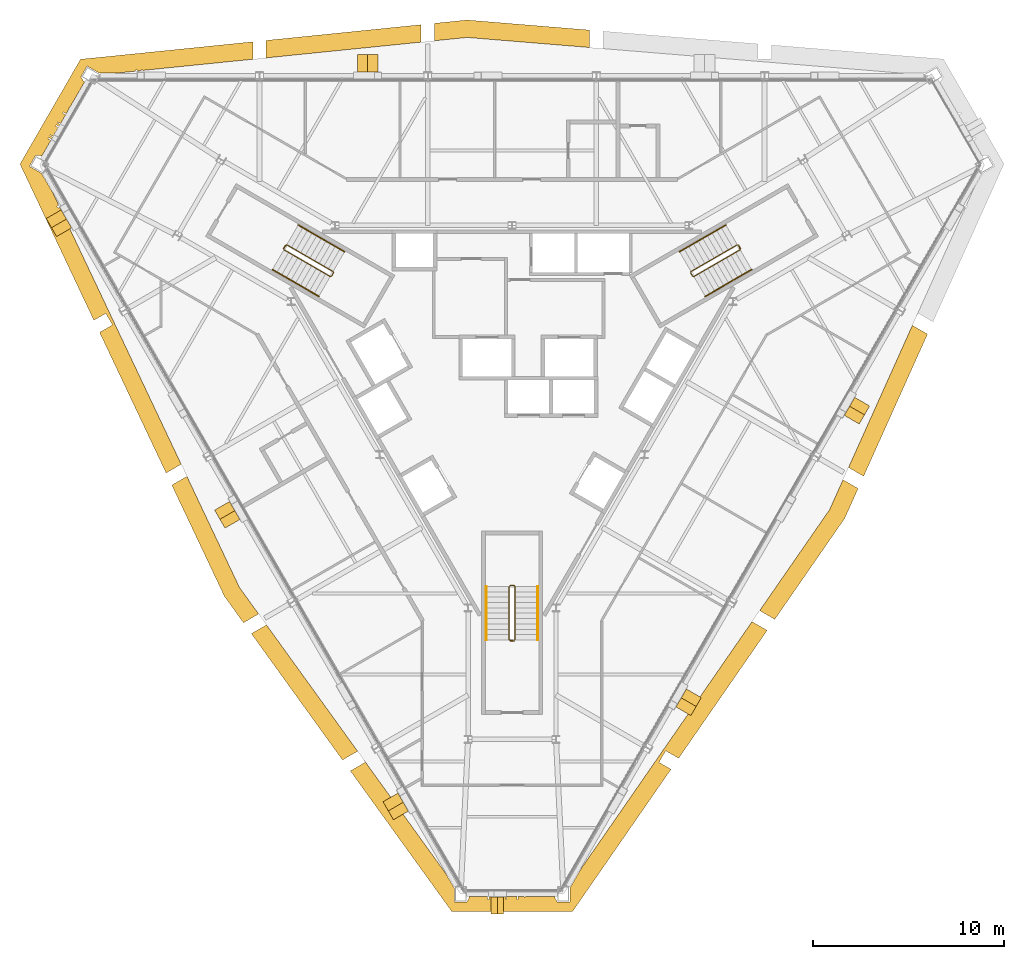
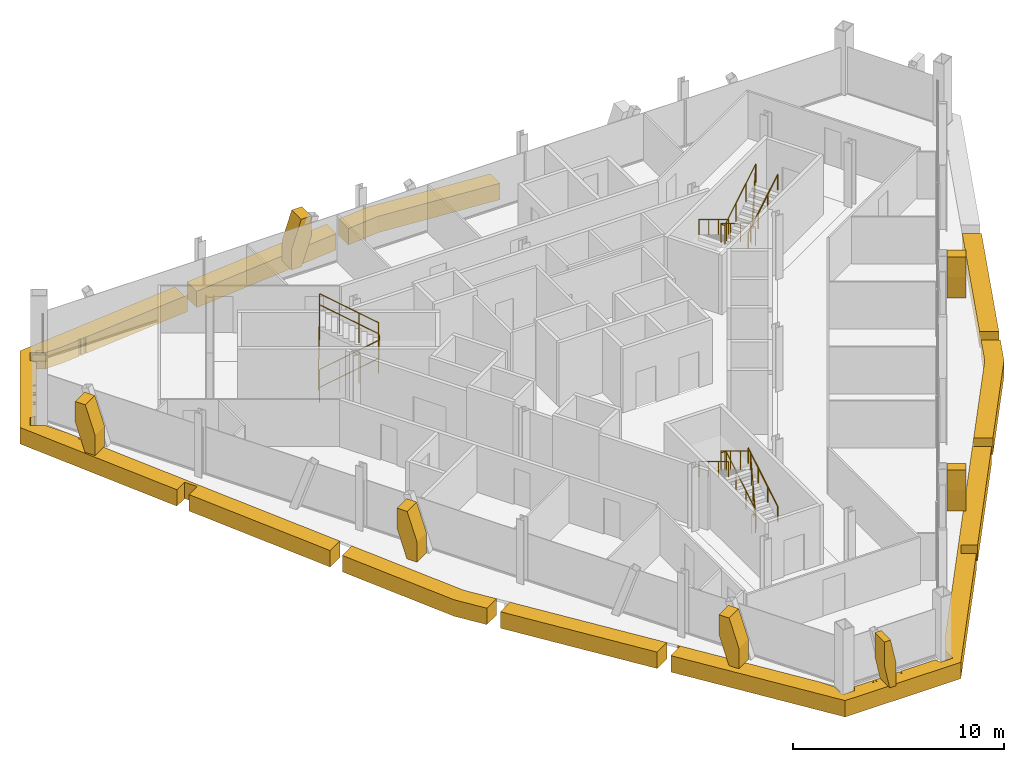
# One storey, part 13 of 14: 15 coverings, 9 railings.
"""IFC4 building model written with IfcOpenShell, lengths in metres."""

from ifc_helpers import new_model, si_unit, direction, frame, origin, origin_2d, place, context, subcontext, project, spatial, polyline, circle, outline, extrude, material, layer, layer_set, type_object, element, save


model = new_model("IFC4")

# Units and contexts
model_context = context("Model", 3, precision=1e-05, world=origin(), true_north=direction((0.0, 1.0)))
body_context = subcontext(model_context, "Body", "Model", "MODEL_VIEW")
ifc_project = project(units=[si_unit("LENGTHUNIT", "METRE"), si_unit("AREAUNIT", "SQUARE_METRE"), si_unit("VOLUMEUNIT", "CUBIC_METRE"), si_unit("PLANEANGLEUNIT", "RADIAN"), si_unit("MASSUNIT", "GRAM", prefix="KILO")], contexts=[model_context])

# Site, building, storey
site_placement = place(None, origin())
site = spatial("IfcSite", under=ifc_project, at=site_placement, CompositionType="ELEMENT")
building_placement = place(site_placement, origin())
building = spatial("IfcBuilding", under=site, at=building_placement, Name="Verrane Prism Tower", CompositionType="ELEMENT")
storey_placement = place(building_placement, frame((0.0, 0.0, 221.199951171875)))
storey = spatial("IfcBuildingStorey", under=building, at=storey_placement, Name="L55", CompositionType="ELEMENT", Elevation=221.199951171875)

# Railings
ifc_material_1 = material(Name="Steel A36 rail and posts, no infill", Category="steel")
railing_type_1 = type_object("IfcRailingType", Name="Stair guard 1100 steel rail and posts", PredefinedType="GUARDRAIL", material=ifc_material_1)
railing_1_placement = place(storey_placement, frame((11.78955078125, 6.97998046875, 0.168212890625)))
element("IfcRailing", 1, at=railing_1_placement, inside=storey, type_object=railing_type_1, Name="Stair 1 guard", PredefinedType="GUARDRAIL", context=body_context, shape_type="SweptSolid", body=[
    extrude(circle(Radius=0.02392578125, at=origin_2d()), frame((0.0, 0.0, 1.076171875), z_axis=(-0.742366697286, -0.42866220388, 0.514917859203), x_axis=(0.500049511043, -0.865996816683, 0.0)), (0.0, 0.0, 1.0), 3.266357421875),
    extrude(circle(Radius=0.02392578125, at=origin_2d()), frame((-2.4248046875, -1.400146484375, 2.7578125), z_axis=(-0.259601060869, -0.965715946433, 0.0), x_axis=(0.965715946433, -0.259601060869, 0.0)), (0.0, 0.0, 1.0), 0.070556640625),
    extrude(circle(Radius=0.02392578125, at=origin_2d()), frame((-2.443115234375, -1.46826171875, 2.7578125), z_axis=(0.499158860599, -0.866510491504, 0.0), x_axis=(0.866510491504, 0.499158860599, 0.0)), (0.0, 0.0, 1.0), 0.199951171875),
    extrude(circle(Radius=0.02392578125, at=origin_2d()), frame((-2.34326171875, -1.6416015625, 2.7578125), z_axis=(0.374585375571, -0.100335368456, 0.921747584887), x_axis=(0.258736085224, 0.965948051503, 0.0)), (0.0, 0.0, 1.0), 0.182373046875),
    extrude(circle(Radius=0.02392578125, at=origin_2d()), frame((-2.27490234375, -1.659912109375, 2.92626953125), z_axis=(0.742395268701, 0.428678701772, 0.514862928999), x_axis=(-0.500049511043, 0.865996816683, 0.0)), (0.0, 0.0, 1.0), 3.26611328125),
    extrude(circle(Radius=0.02392578125, at=origin_2d()), frame((0.14990234375, -0.259765625, 4.60791015625), z_axis=(-0.021986835041, 0.065104730107, -0.997636182785), x_axis=(-0.947430582667, -0.3199613899, 0.0)), (0.0, 0.0, 1.0), 3.708740234375),
    extrude(circle(Radius=0.02392578125, at=origin_2d()), frame((0.068359375, -0.018310546875, 0.90771484375), z_axis=(0.499158860599, -0.866510491504, 0.0), x_axis=(0.866510491504, 0.499158860599, 0.0)), (0.0, 0.0, 1.0), 0.199951171875),
    extrude(circle(Radius=0.02099609375, at=origin_2d()), origin(), (0.0, 0.0, 1.0), 1.052001953125),
    extrude(circle(Radius=0.02099609375, at=origin_2d()), frame((-0.808349609375, -0.466796875, 0.560546875)), (0.0, 0.0, 1.0), 1.052001953125),
    extrude(circle(Radius=0.02099609375, at=origin_2d()), frame((-1.616455078125, -0.933349609375, 1.121337890625)), (0.0, 0.0, 1.0), 1.052001953125),
    extrude(circle(Radius=0.02099609375, at=origin_2d()), frame((-2.4248046875, -1.400146484375, 1.681884765625)), (0.0, 0.0, 1.0), 1.052001953125),
    extrude(circle(Radius=0.02099609375, at=origin_2d()), frame((-2.443115234375, -1.46826171875, 1.681884765625)), (0.0, 0.0, 1.0), 1.052001953125),
    extrude(circle(Radius=0.02099609375, at=origin_2d()), frame((-2.34326171875, -1.6416015625, 1.681884765625)), (0.0, 0.0, 1.0), 1.052001953125),
    extrude(circle(Radius=0.02099609375, at=origin_2d()), frame((-2.27490234375, -1.659912109375, 1.85009765625)), (0.0, 0.0, 1.0), 1.052001953125),
    extrude(circle(Radius=0.02099609375, at=origin_2d()), frame((-1.466552734375, -1.193115234375, 2.41064453125)), (0.0, 0.0, 1.0), 1.052001953125),
    extrude(circle(Radius=0.02099609375, at=origin_2d()), frame((-0.658447265625, -0.7265625, 2.97119140625)), (0.0, 0.0, 1.0), 1.052001953125),
    extrude(circle(Radius=0.02099609375, at=origin_2d()), frame((0.14990234375, -0.259765625, 3.53173828125)), (0.0, 0.0, 1.0), 1.052001953125),
    extrude(circle(Radius=0.02099609375, at=origin_2d()), frame((0.12939453125, -0.199462890625, 2.606689453125)), (0.0, 0.0, 1.0), 1.052001953125),
    extrude(circle(Radius=0.02099609375, at=origin_2d()), frame((0.109130859375, -0.13916015625, 1.681640625)), (0.0, 0.0, 1.0), 1.052001953125),
    extrude(circle(Radius=0.02099609375, at=origin_2d()), frame((0.0888671875, -0.07861328125, 0.7568359375)), (0.0, 0.0, 1.0), 1.052001953125),
    extrude(circle(Radius=0.02099609375, at=origin_2d()), frame((0.068359375, -0.018310546875, -0.168212890625)), (0.0, 0.0, 1.0), 1.052001953125),
    extrude(circle(Radius=0.02099609375, at=origin_2d()), frame((0.168212890625, -0.191650390625, -0.168212890625)), (0.0, 0.0, 1.0), 1.052001953125),
])
railing_2_placement = place(storey_placement, frame((-11.939453125, 6.72021484375, 0.168212890625)))
element("IfcRailing", 2, at=railing_2_placement, inside=storey, type_object=railing_type_1, Name="Stair 2 guard", PredefinedType="GUARDRAIL", context=body_context, shape_type="SweptSolid", body=[
    extrude(circle(Radius=0.02392578125, at=origin_2d()), frame((0.0, 0.0, 1.076171875), z_axis=(0.742366697286, -0.42866220388, 0.514917859203), x_axis=(0.500049511043, 0.865996816683, 0.0)), (0.0, 0.0, 1.0), 3.266357421875),
    extrude(circle(Radius=0.02392578125, at=origin_2d()), frame((2.4248046875, -1.400146484375, 2.7578125), z_axis=(0.965948051503, 0.258736085224, 0.0), x_axis=(-0.258736085224, 0.965948051503, 0.0)), (0.0, 0.0, 1.0), 0.07080078125),
    extrude(circle(Radius=0.02392578125, at=origin_2d()), frame((2.4931640625, -1.3818359375, 2.7578125), z_axis=(0.499158860599, 0.866510491504, 0.0), x_axis=(-0.866510491504, 0.499158860599, 0.0)), (0.0, 0.0, 1.0), 0.199951171875),
    extrude(circle(Radius=0.02392578125, at=origin_2d()), frame((2.593017578125, -1.20849609375, 2.7578125), z_axis=(-0.100385596638, 0.373434419493, 0.922209014446), x_axis=(-0.965715946433, -0.259601060869, 0.0)), (0.0, 0.0, 1.0), 0.182373046875),
    extrude(circle(Radius=0.02392578125, at=origin_2d()), frame((2.57470703125, -1.140380859375, 2.92626953125), z_axis=(-0.742395268701, 0.428678701772, 0.514862928999), x_axis=(-0.500049511043, -0.865996816683, 0.0)), (0.0, 0.0, 1.0), 3.26611328125),
    extrude(circle(Radius=0.02392578125, at=origin_2d()), frame((0.14990234375, 0.259765625, 4.60791015625), z_axis=(-0.04535595117, -0.051675503147, -0.99763343973), x_axis=(0.751567565678, -0.659656118156, 0.0)), (0.0, 0.0, 1.0), 3.708740234375),
    extrude(circle(Radius=0.02392578125, at=origin_2d()), frame((-0.018310546875, 0.068115234375, 0.90771484375), z_axis=(0.499158860599, 0.866510491504, 0.0), x_axis=(-0.866510491504, 0.499158860599, 0.0)), (0.0, 0.0, 1.0), 0.199951171875),
    extrude(circle(Radius=0.02099609375, at=origin_2d()), origin(), (0.0, 0.0, 1.0), 1.052001953125),
    extrude(circle(Radius=0.02099609375, at=origin_2d()), frame((0.808349609375, -0.466796875, 0.560546875)), (0.0, 0.0, 1.0), 1.052001953125),
    extrude(circle(Radius=0.02099609375, at=origin_2d()), frame((1.616455078125, -0.933349609375, 1.121337890625)), (0.0, 0.0, 1.0), 1.052001953125),
    extrude(circle(Radius=0.02099609375, at=origin_2d()), frame((2.4248046875, -1.400146484375, 1.681884765625)), (0.0, 0.0, 1.0), 1.052001953125),
    extrude(circle(Radius=0.02099609375, at=origin_2d()), frame((2.4931640625, -1.3818359375, 1.681884765625)), (0.0, 0.0, 1.0), 1.052001953125),
    extrude(circle(Radius=0.02099609375, at=origin_2d()), frame((2.593017578125, -1.20849609375, 1.681884765625)), (0.0, 0.0, 1.0), 1.052001953125),
    extrude(circle(Radius=0.02099609375, at=origin_2d()), frame((2.57470703125, -1.140380859375, 1.85009765625)), (0.0, 0.0, 1.0), 1.052001953125),
    extrude(circle(Radius=0.02099609375, at=origin_2d()), frame((1.766357421875, -0.673583984375, 2.41064453125)), (0.0, 0.0, 1.0), 1.052001953125),
    extrude(circle(Radius=0.02099609375, at=origin_2d()), frame((0.958251953125, -0.20703125, 2.97119140625)), (0.0, 0.0, 1.0), 1.052001953125),
    extrude(circle(Radius=0.02099609375, at=origin_2d()), frame((0.14990234375, 0.259765625, 3.53173828125)), (0.0, 0.0, 1.0), 1.052001953125),
    extrude(circle(Radius=0.02099609375, at=origin_2d()), frame((0.10791015625, 0.2119140625, 2.606689453125)), (0.0, 0.0, 1.0), 1.052001953125),
    extrude(circle(Radius=0.02099609375, at=origin_2d()), frame((0.06591796875, 0.1640625, 1.681640625)), (0.0, 0.0, 1.0), 1.052001953125),
    extrude(circle(Radius=0.02099609375, at=origin_2d()), frame((0.023681640625, 0.115966796875, 0.7568359375)), (0.0, 0.0, 1.0), 1.052001953125),
    extrude(circle(Radius=0.02099609375, at=origin_2d()), frame((-0.018310546875, 0.068115234375, -0.168212890625)), (0.0, 0.0, 1.0), 1.052001953125),
    extrude(circle(Radius=0.02099609375, at=origin_2d()), frame((0.08154296875, 0.241455078125, -0.168212890625)), (0.0, 0.0, 1.0), 1.052001953125),
])
railing_3_placement = place(storey_placement, frame((0.14990234375, -13.699951171875, 0.168212890625)))
element("IfcRailing", 3, at=railing_3_placement, inside=storey, type_object=railing_type_1, Name="Stair 3 guard", PredefinedType="GUARDRAIL", context=body_context, shape_type="SweptSolid", body=[
    extrude(circle(Radius=0.02392578125, at=origin_2d()), frame((0.0, 0.0, 1.076171875), z_axis=(0.0, 0.857242210791, 0.514913383045), x_axis=(-1.0, 0.0, 0.0)), (0.0, 0.0, 1.0), 3.266357421875),
    extrude(circle(Radius=0.02392578125, at=origin_2d()), frame((0.0, 2.800048828125, 2.7578125), z_axis=(-0.707106781187, 0.707106781187, 0.0), x_axis=(-0.707106781187, -0.707106781187, 0.0)), (0.0, 0.0, 1.0), 0.0703125),
    extrude(circle(Radius=0.02392578125, at=origin_2d()), frame((-0.0498046875, 2.849853515625, 2.7578125), z_axis=(-1.0, 0.0, 0.0), x_axis=(0.0, -1.0, 0.0)), (0.0, 0.0, 1.0), 0.2001953125),
    extrude(circle(Radius=0.02392578125, at=origin_2d()), frame((-0.25, 2.849853515625, 2.7578125), z_axis=(-0.273106073848, -0.273106073848, 0.922402376869), x_axis=(0.707106781187, -0.707106781187, 0.0)), (0.0, 0.0, 1.0), 0.182373046875),
    extrude(circle(Radius=0.02392578125, at=origin_2d()), frame((-0.2998046875, 2.800048828125, 2.92626953125), z_axis=(0.0, -0.857275202839, 0.514858452973), x_axis=(1.0, 0.0, 0.0)), (0.0, 0.0, 1.0), 3.26611328125),
    extrude(circle(Radius=0.02392578125, at=origin_2d()), frame((-0.2998046875, 0.0, 4.60791015625), z_axis=(0.067408604812, -0.013494886706, -0.997634185476), x_axis=(0.196300278283, 0.98054382908, 0.0)), (0.0, 0.0, 1.0), 3.708740234375),
    extrude(circle(Radius=0.02392578125, at=origin_2d()), frame((-0.0498046875, -0.050048828125, 0.90771484375), z_axis=(-1.0, 0.0, 0.0), x_axis=(0.0, -1.0, 0.0)), (0.0, 0.0, 1.0), 0.2001953125),
    extrude(circle(Radius=0.02099609375, at=origin_2d()), origin(), (0.0, 0.0, 1.0), 1.052001953125),
    extrude(circle(Radius=0.02099609375, at=origin_2d()), frame((0.0, 0.933349609375, 0.560546875)), (0.0, 0.0, 1.0), 1.052001953125),
    extrude(circle(Radius=0.02099609375, at=origin_2d()), frame((0.0, 1.86669921875, 1.121337890625)), (0.0, 0.0, 1.0), 1.052001953125),
    extrude(circle(Radius=0.02099609375, at=origin_2d()), frame((0.0, 2.800048828125, 1.681884765625)), (0.0, 0.0, 1.0), 1.052001953125),
    extrude(circle(Radius=0.02099609375, at=origin_2d()), frame((-0.0498046875, 2.849853515625, 1.681884765625)), (0.0, 0.0, 1.0), 1.052001953125),
    extrude(circle(Radius=0.02099609375, at=origin_2d()), frame((-0.25, 2.849853515625, 1.681884765625)), (0.0, 0.0, 1.0), 1.052001953125),
    extrude(circle(Radius=0.02099609375, at=origin_2d()), frame((-0.2998046875, 2.800048828125, 1.85009765625)), (0.0, 0.0, 1.0), 1.052001953125),
    extrude(circle(Radius=0.02099609375, at=origin_2d()), frame((-0.2998046875, 1.86669921875, 2.41064453125)), (0.0, 0.0, 1.0), 1.052001953125),
    extrude(circle(Radius=0.02099609375, at=origin_2d()), frame((-0.2998046875, 0.933349609375, 2.97119140625)), (0.0, 0.0, 1.0), 1.052001953125),
    extrude(circle(Radius=0.02099609375, at=origin_2d()), frame((-0.2998046875, 0.0, 3.53173828125)), (0.0, 0.0, 1.0), 1.052001953125),
    extrude(circle(Radius=0.02099609375, at=origin_2d()), frame((-0.2373046875, -0.012451171875, 2.606689453125)), (0.0, 0.0, 1.0), 1.052001953125),
    extrude(circle(Radius=0.02099609375, at=origin_2d()), frame((-0.1748046875, -0.02490234375, 1.681640625)), (0.0, 0.0, 1.0), 1.052001953125),
    extrude(circle(Radius=0.02099609375, at=origin_2d()), frame((-0.1123046875, -0.03759765625, 0.7568359375)), (0.0, 0.0, 1.0), 1.052001953125),
    extrude(circle(Radius=0.02099609375, at=origin_2d()), frame((-0.0498046875, -0.050048828125, -0.168212890625)), (0.0, 0.0, 1.0), 1.052001953125),
    extrude(circle(Radius=0.02099609375, at=origin_2d()), frame((-0.25, -0.050048828125, -0.168212890625)), (0.0, 0.0, 1.0), 1.052001953125),
])
ifc_material_2 = material(Name="Steel A36 tube", Category="steel")
railing_type_2 = type_object("IfcRailingType", Name="Stair handrail 900 steel tube", PredefinedType="HANDRAIL", material=ifc_material_2)
railing_4_placement = place(storey_placement, frame((11.189453125, 8.01904296875, 0.168212890625)))
element("IfcRailing", 4, at=railing_4_placement, inside=storey, type_object=railing_type_2, Name="Stair 1 handrail", PredefinedType="HANDRAIL", context=body_context, shape_type="SweptSolid", body=[
    extrude(circle(Radius=0.02392578125, at=origin_2d()), frame((0.0, 0.0, 0.8759765625), z_axis=(-0.742390482028, -0.42860119049, 0.514934356695), x_axis=(0.49998411664, -0.866034573852, 0.0)), (0.0, 0.0, 1.0), 3.26611328125),
    extrude(circle(Radius=0.02099609375, at=origin_2d()), origin(), (0.0, 0.0, 1.0), 0.851806640625),
    extrude(circle(Radius=0.02099609375, at=origin_2d()), frame((-0.808349609375, -0.466552734375, 0.560546875)), (0.0, 0.0, 1.0), 0.851806640625),
    extrude(circle(Radius=0.02099609375, at=origin_2d()), frame((-1.616455078125, -0.933349609375, 1.121337890625)), (0.0, 0.0, 1.0), 0.851806640625),
    extrude(circle(Radius=0.02099609375, at=origin_2d()), frame((-2.4248046875, -1.39990234375, 1.681884765625)), (0.0, 0.0, 1.0), 0.851806640625),
])
railing_5_placement = place(storey_placement, frame((10.11474609375, 4.28076171875, 2.018310546875)))
element("IfcRailing", 5, at=railing_5_placement, inside=storey, type_object=railing_type_2, Name="Stair 1 handrail", PredefinedType="HANDRAIL", context=body_context, shape_type="SweptSolid", body=[
    extrude(circle(Radius=0.02392578125, at=origin_2d()), frame((0.0, 0.0, 0.8759765625), z_axis=(0.742395268701, 0.428678701772, 0.514862928999), x_axis=(-0.500049511043, 0.865996816683, 0.0)), (0.0, 0.0, 1.0), 3.26611328125),
    extrude(circle(Radius=0.02099609375, at=origin_2d()), origin(), (0.0, 0.0, 1.0), 0.851806640625),
    extrude(circle(Radius=0.02099609375, at=origin_2d()), frame((0.808349609375, 0.466796875, 0.560546875)), (0.0, 0.0, 1.0), 0.851806640625),
    extrude(circle(Radius=0.02099609375, at=origin_2d()), frame((1.616455078125, 0.933349609375, 1.12109375)), (0.0, 0.0, 1.0), 0.851806640625),
    extrude(circle(Radius=0.02099609375, at=origin_2d()), frame((2.4248046875, 1.400146484375, 1.681640625)), (0.0, 0.0, 1.0), 0.851806640625),
])
railing_6_placement = place(storey_placement, frame((-12.53955078125, 5.680908203125, 0.168212890625)))
element("IfcRailing", 6, at=railing_6_placement, inside=storey, type_object=railing_type_2, Name="Stair 2 handrail", PredefinedType="HANDRAIL", context=body_context, shape_type="SweptSolid", body=[
    extrude(circle(Radius=0.02392578125, at=origin_2d()), frame((0.0, 0.0, 0.8759765625), z_axis=(0.742366697286, -0.42866220388, 0.514917859203), x_axis=(0.500049511043, 0.865996816683, 0.0)), (0.0, 0.0, 1.0), 3.266357421875),
    extrude(circle(Radius=0.02099609375, at=origin_2d()), origin(), (0.0, 0.0, 1.0), 0.851806640625),
    extrude(circle(Radius=0.02099609375, at=origin_2d()), frame((0.808349609375, -0.466796875, 0.560546875)), (0.0, 0.0, 1.0), 0.851806640625),
    extrude(circle(Radius=0.02099609375, at=origin_2d()), frame((1.616455078125, -0.933349609375, 1.121337890625)), (0.0, 0.0, 1.0), 0.851806640625),
    extrude(circle(Radius=0.02099609375, at=origin_2d()), frame((2.4248046875, -1.400146484375, 1.681884765625)), (0.0, 0.0, 1.0), 0.851806640625),
])
railing_7_placement = place(storey_placement, frame((-8.7646484375, 6.619140625, 2.018310546875)))
element("IfcRailing", 7, at=railing_7_placement, inside=storey, type_object=railing_type_2, Name="Stair 2 handrail", PredefinedType="HANDRAIL", context=body_context, shape_type="SweptSolid", body=[
    extrude(circle(Radius=0.02392578125, at=origin_2d()), frame((0.0, 0.0, 0.8759765625), z_axis=(-0.74241905619, 0.428617687091, 0.514879426), x_axis=(-0.49998411664, -0.866034573852, 0.0)), (0.0, 0.0, 1.0), 3.26611328125),
    extrude(circle(Radius=0.02099609375, at=origin_2d()), origin(), (0.0, 0.0, 1.0), 0.851806640625),
    extrude(circle(Radius=0.02099609375, at=origin_2d()), frame((-0.808349609375, 0.466552734375, 0.560546875)), (0.0, 0.0, 1.0), 0.851806640625),
    extrude(circle(Radius=0.02099609375, at=origin_2d()), frame((-1.616455078125, 0.933349609375, 1.12109375)), (0.0, 0.0, 1.0), 0.851806640625),
    extrude(circle(Radius=0.02099609375, at=origin_2d()), frame((-2.4248046875, 1.39990234375, 1.681640625)), (0.0, 0.0, 1.0), 0.851806640625),
])
railing_8_placement = place(storey_placement, frame((1.35009765625, -13.699951171875, 0.168212890625)))
element("IfcRailing", 8, at=railing_8_placement, inside=storey, type_object=railing_type_2, Name="Stair 3 handrail", PredefinedType="HANDRAIL", context=body_context, shape_type="SweptSolid", body=[
    extrude(circle(Radius=0.02392578125, at=origin_2d()), frame((0.0, 0.0, 0.8759765625), z_axis=(0.0, 0.857242210791, 0.514913383045), x_axis=(-1.0, 0.0, 0.0)), (0.0, 0.0, 1.0), 3.266357421875),
    extrude(circle(Radius=0.02099609375, at=origin_2d()), origin(), (0.0, 0.0, 1.0), 0.851806640625),
    extrude(circle(Radius=0.02099609375, at=origin_2d()), frame((0.0, 0.933349609375, 0.560546875)), (0.0, 0.0, 1.0), 0.851806640625),
    extrude(circle(Radius=0.02099609375, at=origin_2d()), frame((0.0, 1.86669921875, 1.121337890625)), (0.0, 0.0, 1.0), 0.851806640625),
    extrude(circle(Radius=0.02099609375, at=origin_2d()), frame((0.0, 2.800048828125, 1.681884765625)), (0.0, 0.0, 1.0), 0.851806640625),
])
railing_9_placement = place(storey_placement, frame((-1.35009765625, -10.89990234375, 2.018310546875)))
element("IfcRailing", 9, at=railing_9_placement, inside=storey, type_object=railing_type_2, Name="Stair 3 handrail", PredefinedType="HANDRAIL", context=body_context, shape_type="SweptSolid", body=[
    extrude(circle(Radius=0.02392578125, at=origin_2d()), frame((0.0, 0.0, 0.8759765625), z_axis=(0.0, -0.857275202839, 0.514858452973), x_axis=(1.0, 0.0, 0.0)), (0.0, 0.0, 1.0), 3.26611328125),
    extrude(circle(Radius=0.02099609375, at=origin_2d()), origin(), (0.0, 0.0, 1.0), 0.851806640625),
    extrude(circle(Radius=0.02099609375, at=origin_2d()), frame((0.0, -0.933349609375, 0.560546875)), (0.0, 0.0, 1.0), 0.851806640625),
    extrude(circle(Radius=0.02099609375, at=origin_2d()), frame((0.0, -1.86669921875, 1.12109375)), (0.0, 0.0, 1.0), 0.851806640625),
    extrude(circle(Radius=0.02099609375, at=origin_2d()), frame((0.0, -2.800048828125, 1.681640625)), (0.0, 0.0, 1.0), 0.851806640625),
])

# Coverings
ifc_material_3 = material(Name="Warm limestone cladding", Category="masonry")
ifc_layer_1 = layer(ifc_material_3, 0.89990234375)
ifc_layer_set_1 = layer_set([ifc_layer_1], Name="Stone brace fin 900")
covering_type_1 = type_object("IfcCoveringType", Name="Stone brace fin 900", PredefinedType="CLADDING", material=ifc_layer_set_1)
covering_1_placement = place(storey_placement, frame((-8.10009765625, 16.483154296875, 0.0), z_axis=(0.0, 0.0, 1.0), x_axis=(1.0, 0.0, 0.0)))
element("IfcCovering", 10, at=covering_1_placement, inside=storey, type_object=covering_type_1, Name="Stone brace fin N4 L55", PredefinedType="CLADDING", context=body_context, shape_type="SweptSolid", body=[
    extrude(outline(polyline([(1.087158203125, 2.75), (0.53369140625, 2.75), (0.0, 1.1806640625), (0.0, 0.0), (0.549072265625, 0.0), (1.087158203125, 1.58203125), (1.087158203125, 2.75)])), frame((0.0, 0.449951171875, 0.0), z_axis=(0.0, -1.0, 0.0), x_axis=(1.0, 0.0, 0.0)), (0.0, 0.0, 1.0), 0.89990234375),
])
for number, where, z_axis, x_axis, name in (
    (11, (-23.443115234375, 7.637939453125, 0.0), (0.0, 0.0, 1.0), (-0.499521517039, 0.866301479864, 0.0), "Stone brace fin SW1 L55"),
    (12, (-14.633056640625, -7.6220703125, 0.0), (0.0, 0.0, 1.0), (-0.499521517039, 0.866301479864, 0.0), "Stone brace fin SW3 L55"),
):
    element("IfcCovering", number, at=place(storey_placement, frame(where, z_axis=z_axis, x_axis=x_axis)), inside=storey, type_object=covering_type_1, Name=name, PredefinedType="CLADDING", context=body_context, shape_type="SweptSolid", body=[
        extrude(outline(polyline([(1.0869140625, 2.75), (0.53369140625, 2.75), (0.0, 1.18115234375), (0.0, 0.0), (0.549072265625, 0.0), (1.0869140625, 1.581787109375), (1.0869140625, 2.75)])), frame((0.0, 0.449951171875, 0.0), z_axis=(0.0, -1.0, 0.0), x_axis=(1.0, 0.0, 0.0)), (0.0, 0.0, 1.0), 0.89990234375),
    ])
for number, where, z_axis, x_axis, name in (
    (13, (-5.818359375, -22.8828125, 0.0), (0.0, 0.0, 1.0), (-0.500363613817, 0.865815369445, 0.0), "Stone brace fin SW5 L55"),
    (14, (9.5126953125, -16.4912109375, 0.0), (0.0, 0.0, 1.0), (-0.500460878904, -0.865759151662, 0.0), "Stone brace fin SE2 L55"),
    (15, (18.322509765625, -1.231201171875, 0.0), (0.0, 0.0, 1.0), (-0.500460878904, -0.865759151662, 0.0), "Stone brace fin SE4 L55"),
):
    element("IfcCovering", number, at=place(storey_placement, frame(where, z_axis=z_axis, x_axis=x_axis)), inside=storey, type_object=covering_type_1, Name=name, PredefinedType="CLADDING", context=body_context, shape_type="SweptSolid", body=[
        extrude(outline(polyline([(1.08740234375, 2.75), (0.5341796875, 2.75), (0.0, 1.180419921875), (0.0, 0.0), (0.549072265625, 0.0), (1.08740234375, 1.58251953125), (1.08740234375, 2.75)])), frame((0.0, 0.449951171875, 0.0), z_axis=(0.0, -1.0, 0.0), x_axis=(1.0, 0.0, 0.0)), (0.0, 0.0, 1.0), 0.89990234375),
    ])
covering_2_placement = place(storey_placement, frame((-0.44580078125, -27.59228515625, 0.0), z_axis=(0.0, 0.0, 1.0), x_axis=(-1.0, 0.0, 0.0)))
element("IfcCovering", 16, at=covering_2_placement, inside=storey, type_object=covering_type_1, Name="Stone brace fin S1 L55", PredefinedType="CLADDING", context=body_context, shape_type="SweptSolid", body=[
    extrude(outline(polyline([(0.6455078125, 2.75), (0.31005859375, 2.75), (0.0, 1.257568359375), (0.0, 0.0), (0.362060546875, 0.0), (0.6455078125, 1.36572265625), (0.6455078125, 2.75)])), frame((0.0, 0.449951171875, 0.0), z_axis=(0.0, -1.0, 0.0), x_axis=(1.0, 0.0, 0.0)), (0.0, 0.0, 1.0), 0.89990234375),
])
ifc_material_4 = material(Name="Warm limestone cladding", Category="masonry")
ifc_layer_2 = layer(ifc_material_4, 0.449951171875)
ifc_layer_set_2 = layer_set([ifc_layer_2], Name="Stone spandrel band 450")
covering_type_2 = type_object("IfcCoveringType", Name="Stone spandrel band 450", PredefinedType="CLADDING", material=ifc_layer_set_2)
covering_3_placement = place(storey_placement, frame((0.0, 0.0, -0.949951171875)))
element("IfcCovering", 17, at=covering_3_placement, inside=storey, type_object=covering_type_2, Name="Stone spandrel band L55 part 1", PredefinedType="CLADDING", context=body_context, shape_type="SweptSolid", body=[
    extrude(outline(polyline([(-7.689453125, -20.10546875), (-8.46240234375, -20.551513671875), (-3.160400390625, -27.90185546875), (3.171630859375, -27.90185546875), (8.3173828125, -20.468017578125), (7.689453125, -20.10546875), (8.03955078125, -19.499267578125), (8.717041015625, -19.890380859375), (13.34912109375, -13.198486328125), (12.55859375, -12.741943359375), (3.623291015625, -25.651123046875), (3.02001953125, -26.69580078125), (3.02001953125, -27.419921875), (2.360107421875, -27.419921875), (2.360107421875, -27.39794921875), (2.251953125, -27.208740234375), (2.251953125, -27.12548828125), (0.7041015625, -27.12548828125), (0.67578125, -27.164794921875), (0.62109375, -27.12548828125), (0.32275390625, -27.12548828125), (0.32275390625, -27.2900390625), (0.251708984375, -27.2900390625), (0.251708984375, -27.12548828125), (-0.278076171875, -27.12548828125), (-0.278076171875, -27.2900390625), (-0.32275390625, -27.2900390625), (-0.32275390625, -27.12548828125), (-0.44580078125, -27.12548828125), (-0.44580078125, -27.2900390625), (-0.51708984375, -27.2900390625), (-0.51708984375, -27.12548828125), (-1.046630859375, -27.12548828125), (-1.046630859375, -27.2900390625), (-1.09130859375, -27.2900390625), (-1.09130859375, -27.12548828125), (-1.21435546875, -27.12548828125), (-1.21435546875, -27.2900390625), (-1.285400390625, -27.2900390625), (-1.285400390625, -27.12548828125), (-2.251953125, -27.12548828125), (-2.251953125, -27.208740234375), (-2.360107421875, -27.39794921875), (-2.360107421875, -27.419921875), (-3.02001953125, -27.419921875), (-3.02001953125, -26.69580078125), (-3.466552734375, -25.922607421875), (-7.7548828125, -19.977294921875), (-7.76123046875, -19.981201171875), (-7.689453125, -20.10546875)])), origin(), (0.0, 0.0, 1.0), 0.949951171875),
])
covering_4_placement = place(storey_placement, frame((0.0, 0.0, -0.949951171875)))
element("IfcCovering", 18, at=covering_4_placement, inside=storey, type_object=covering_type_2, Name="Stone spandrel band L55 part 3", PredefinedType="CLADDING", context=body_context, shape_type="SweptSolid", body=[
    extrude(outline(polyline([(-17.314208984375, -4.5048828125), (-23.15478515625, 7.845458984375), (-23.19091796875, 7.90771484375), (-23.185791015625, 7.91064453125), (-23.5576171875, 8.697021484375), (-23.6240234375, 8.658935546875), (-23.679931640625, 8.755859375), (-23.605712890625, 8.798583984375), (-23.67919921875, 8.9541015625), (-23.765625, 8.904296875), (-23.8193359375, 8.997802734375), (-23.725341796875, 9.0517578125), (-24.026123046875, 9.687744140625), (-24.624267578125, 10.7236328125), (-25.25732421875, 11.089111328125), (-24.927490234375, 11.660888671875), (-24.908447265625, 11.64990234375), (-24.689453125, 11.64990234375), (-24.619140625, 11.609130859375), (-24.135498046875, 12.447021484375), (-24.277587890625, 12.52880859375), (-24.2421875, 12.590576171875), (-24.099853515625, 12.5087890625), (-24.038330078125, 12.615478515625), (-24.1806640625, 12.697265625), (-24.158203125, 12.736083984375), (-24.015869140625, 12.654296875), (-23.75048828125, 13.11376953125), (-23.893310546875, 13.196044921875), (-23.85791015625, 13.2578125), (-23.71484375, 13.175537109375), (-23.6533203125, 13.2822265625), (-23.79638671875, 13.364501953125), (-23.77392578125, 13.4033203125), (-23.630859375, 13.321044921875), (-23.365478515625, 13.780517578125), (-23.509033203125, 13.86328125), (-23.4736328125, 13.9248046875), (-23.330078125, 13.84228515625), (-23.181396484375, 14.099609375), (-23.188232421875, 14.168701171875), (-23.138916015625, 14.17333984375), (-22.363525390625, 15.516357421875), (-22.4375, 15.55908203125), (-22.54833984375, 15.748291015625), (-22.5673828125, 15.75927734375), (-22.2373046875, 16.330810546875), (-21.60107421875, 15.96337890625), (-20.71630859375, 15.96337890625), (-19.706298828125, 16.06591796875), (-19.706298828125, 16.1298828125), (-19.598388671875, 16.1298828125), (-19.598388671875, 16.076904296875), (-19.42724609375, 16.094482421875), (-19.42724609375, 16.1298828125), (-19.315185546875, 16.1298828125), (-19.315185546875, 16.105712890625), (-13.402099609375, 16.706787109375), (-13.40234375, 16.714111328125), (-13.56689453125, 16.714111328125), (-13.56689453125, 17.6044921875), (-22.58349609375, 16.68798828125), (-25.749755859375, 11.2041015625), (-21.884521484375, 3.031005859375), (-21.26025390625, 3.39111328125), (-20.910400390625, 2.784912109375), (-21.584228515625, 2.39599609375), (-18.104736328125, -4.96142578125), (-17.314208984375, -4.5048828125)])), origin(), (0.0, 0.0, 1.0), 0.949951171875),
])
covering_5_placement = place(storey_placement, frame((0.0, 0.0, -0.949951171875)))
element("IfcCovering", 19, at=covering_5_placement, inside=storey, type_object=covering_type_2, Name="Stone spandrel band L55 part 4", PredefinedType="CLADDING", context=body_context, shape_type="SweptSolid", body=[
    extrude(outline(polyline([(-14.05517578125, -12.7978515625), (-13.26318359375, -12.340576171875), (-14.266357421875, -10.949951171875), (-17.013916015625, -5.139892578125), (-17.804443359375, -5.596435546875), (-15.052978515625, -11.414306640625), (-14.05517578125, -12.7978515625)])), origin(), (0.0, 0.0, 1.0), 0.949951171875),
])
covering_6_placement = place(storey_placement, frame((0.0, 0.0, -0.949951171875)))
element("IfcCovering", 20, at=covering_6_placement, inside=storey, type_object=covering_type_2, Name="Stone spandrel band L55 part 5", PredefinedType="CLADDING", context=body_context, shape_type="SweptSolid", body=[
    extrude(outline(polyline([(-8.08203125, -19.523681640625), (-12.851806640625, -12.9111328125), (-13.6435546875, -13.368408203125), (-8.8740234375, -19.98095703125), (-8.08203125, -19.523681640625)])), origin(), (0.0, 0.0, 1.0), 0.949951171875),
])
covering_7_placement = place(storey_placement, frame((0.0, 0.0, -0.949951171875)))
element("IfcCovering", 21, at=covering_7_placement, inside=storey, type_object=covering_type_2, Name="Stone spandrel band L55 part 6", PredefinedType="CLADDING", context=body_context, shape_type="SweptSolid", body=[
    extrude(outline(polyline([(18.11083984375, -5.773193359375), (17.31884765625, -5.31591796875), (16.6162109375, -6.880126953125), (12.958251953125, -12.16455078125), (13.748779296875, -12.62109375), (17.41162109375, -7.3291015625), (18.11083984375, -5.773193359375)])), origin(), (0.0, 0.0, 1.0), 0.949951171875),
])
covering_8_placement = place(storey_placement, frame((0.0, 0.0, -0.949951171875)))
element("IfcCovering", 22, at=covering_8_placement, inside=storey, type_object=covering_type_2, Name="Stone spandrel band L55 part 7", PredefinedType="CLADDING", context=body_context, shape_type="SweptSolid", body=[
    extrude(outline(polyline([(21.740966796875, 2.305419921875), (20.94921875, 2.7626953125), (17.607421875, -4.67431640625), (18.3994140625, -5.131591796875), (21.740966796875, 2.305419921875)])), origin(), (0.0, 0.0, 1.0), 0.949951171875),
])
covering_9_placement = place(storey_placement, frame((0.0, 0.0, -0.949951171875)))
element("IfcCovering", 23, at=covering_9_placement, inside=storey, type_object=covering_type_2, Name="Stone spandrel band L55 part 8", PredefinedType="CLADDING", context=body_context, shape_type="SweptSolid", body=[
    extrude(outline(polyline([(-4.0556640625, 18.571044921875), (-4.0556640625, 17.656494140625), (-2.349609375, 17.830078125), (4.0556640625, 17.304443359375), (4.0556640625, 18.21728515625), (-2.358642578125, 18.74365234375), (-4.0556640625, 18.571044921875)])), origin(), (0.0, 0.0, 1.0), 0.949951171875),
])
covering_10_placement = place(storey_placement, frame((0.0, 0.0, -0.949951171875)))
element("IfcCovering", 24, at=covering_10_placement, inside=storey, type_object=covering_type_2, Name="Stone spandrel band L55 part 9", PredefinedType="CLADDING", context=body_context, shape_type="SweptSolid", body=[
    extrude(outline(polyline([(-12.866943359375, 16.760986328125), (-4.755615234375, 17.58544921875), (-4.755615234375, 18.5), (-7.5927734375, 18.211669921875), (-12.866943359375, 17.675537109375), (-12.866943359375, 16.760986328125)])), origin(), (0.0, 0.0, 1.0), 0.949951171875),
])

save(model, "model.ifc")
